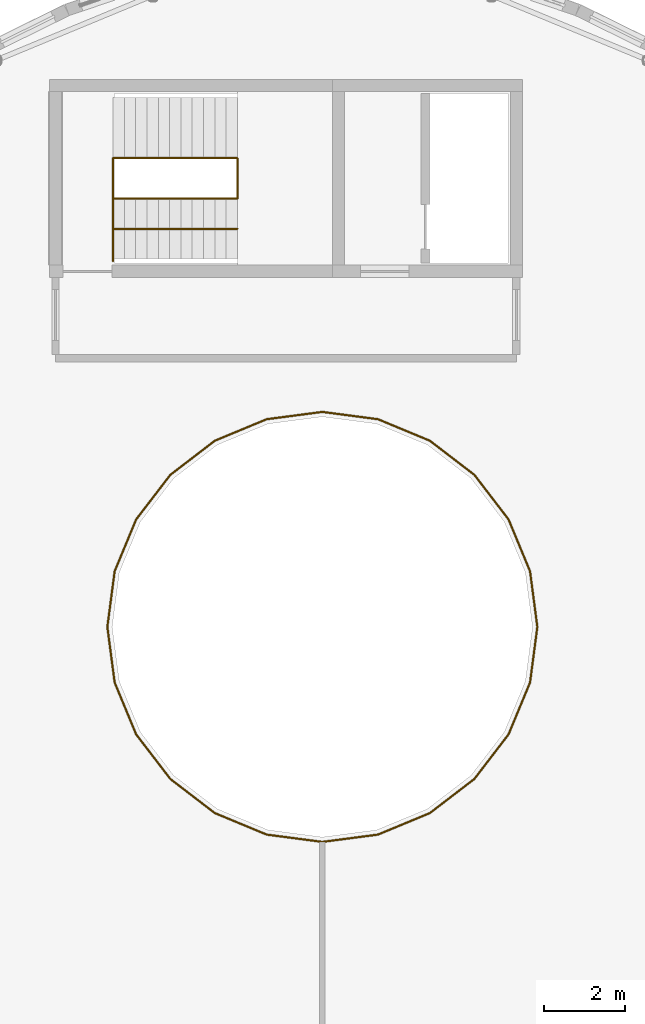
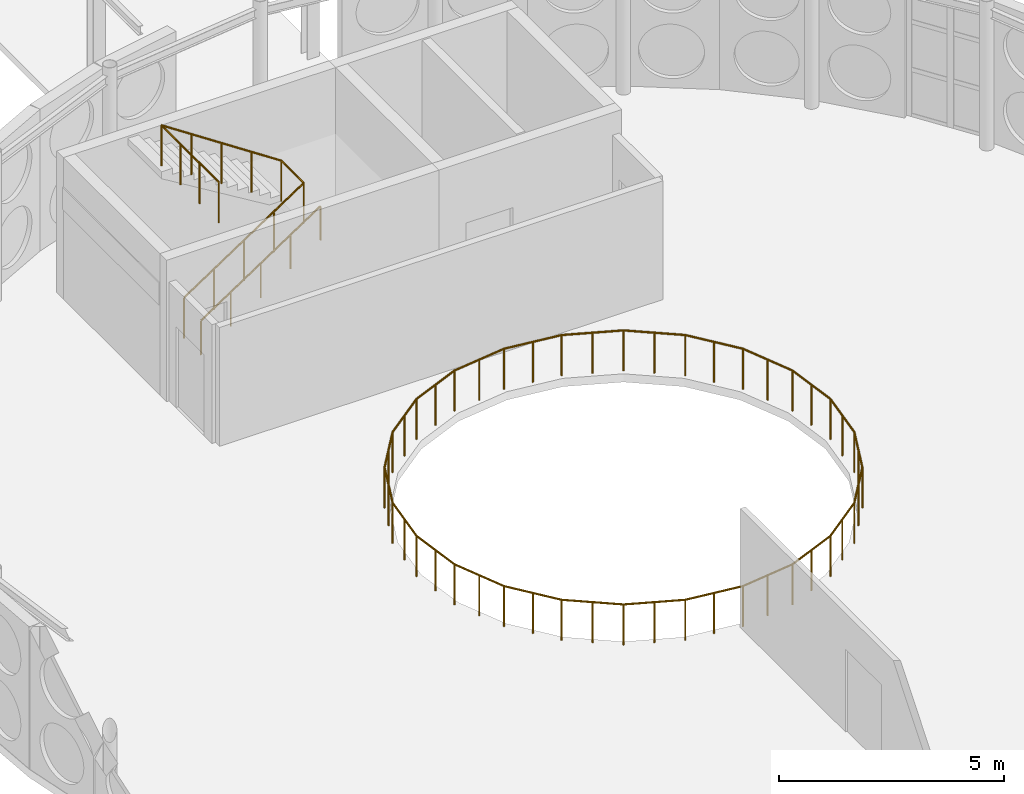
# One storey, part 179 of 189: 3 railings.
"""IFC4 building model written with IfcOpenShell, lengths in metres."""

from ifc_helpers import new_model, si_unit, direction, frame, origin, origin_2d, place, context, subcontext, project, spatial, circle, extrude, material, type_object, element, save


model = new_model("IFC4")

# Units and contexts
model_context = context("Model", 3, precision=1e-05, world=origin(), true_north=direction((0.0, 1.0)))
body_context = subcontext(model_context, "Body", "Model", "MODEL_VIEW")
ifc_project = project(units=[si_unit("LENGTHUNIT", "METRE"), si_unit("AREAUNIT", "SQUARE_METRE"), si_unit("VOLUMEUNIT", "CUBIC_METRE"), si_unit("PLANEANGLEUNIT", "RADIAN"), si_unit("MASSUNIT", "GRAM", prefix="KILO")], contexts=[model_context])

# Site, building, storey
site_placement = place(None, origin())
site = spatial("IfcSite", under=ifc_project, at=site_placement, CompositionType="ELEMENT")
building_placement = place(site_placement, origin())
building = spatial("IfcBuilding", under=site, at=building_placement, Name="Montecoro Central Library", CompositionType="ELEMENT")
storey_placement = place(building_placement, frame((0.0, 0.0, 9.179931640625)))
storey = spatial("IfcBuildingStorey", under=building, at=storey_placement, Name="L02", CompositionType="ELEMENT", Elevation=9.179931640625)

# Railings
ifc_material_1 = material(Name="Brushed stainless steel and bronze balustrade", Category="steel")
railing_type_1 = type_object("IfcRailingType", Name="GRD-INT-110", PredefinedType="GUARDRAIL", material=ifc_material_1)
railing_1_placement = place(storey_placement, frame((86.419921875, 46.0, 0.0)))
element("IfcRailing", 1, at=railing_1_placement, inside=storey, type_object=railing_type_1, Name="C1-L02-STR-GRD", PredefinedType="GUARDRAIL", context=body_context, shape_type="SweptSolid", body=[
    extrude(circle(Radius=0.02392578125, at=origin_2d()), frame((0.0, 0.0, 1.09619140625), z_axis=(0.833713881912, 0.0, 0.552196670677), x_axis=(0.0, 1.0, 0.0)), (0.0, 0.0, 1.0), 3.6943359375),
    extrude(circle(Radius=0.02392578125, at=origin_2d()), frame((3.080078125, 0.0, 3.13623046875), z_axis=(0.0, 1.0, 0.0), x_axis=(-1.0, 0.0, 0.0)), (0.0, 0.0, 1.0), 1.0),
    extrude(circle(Radius=0.02392578125, at=origin_2d()), frame((3.080078125, 1.0, 3.13623046875), z_axis=(-0.833713881912, 0.0, 0.552196670677), x_axis=(0.0, -1.0, 0.0)), (0.0, 0.0, 1.0), 3.6943359375),
    extrude(circle(Radius=0.02392578125, at=origin_2d()), frame((0.0, 1.0, 5.17626953125), z_axis=(0.0, -1.0, 0.0), x_axis=(1.0, 0.0, 0.0)), (0.0, 0.0, 1.0), 2.550048828125),
    extrude(circle(Radius=0.02099609375, at=origin_2d()), origin(), (0.0, 0.0, 1.0), 1.072021484375),
    extrude(circle(Radius=0.02099609375, at=origin_2d()), frame((0.77001953125, 0.0, 0.510009765625)), (0.0, 0.0, 1.0), 1.072021484375),
    extrude(circle(Radius=0.02099609375, at=origin_2d()), frame((1.5400390625, 0.0, 1.02001953125)), (0.0, 0.0, 1.0), 1.072021484375),
    extrude(circle(Radius=0.02099609375, at=origin_2d()), frame((2.31005859375, 0.0, 1.530029296875)), (0.0, 0.0, 1.0), 1.072021484375),
    extrude(circle(Radius=0.02099609375, at=origin_2d()), frame((3.080078125, 0.0, 2.0400390625)), (0.0, 0.0, 1.0), 1.072021484375),
    extrude(circle(Radius=0.02099609375, at=origin_2d()), frame((3.080078125, 1.0, 2.0400390625)), (0.0, 0.0, 1.0), 1.072021484375),
    extrude(circle(Radius=0.02099609375, at=origin_2d()), frame((2.31005859375, 1.0, 2.550048828125)), (0.0, 0.0, 1.0), 1.072021484375),
    extrude(circle(Radius=0.02099609375, at=origin_2d()), frame((1.5400390625, 1.0, 3.06005859375)), (0.0, 0.0, 1.0), 1.072021484375),
    extrude(circle(Radius=0.02099609375, at=origin_2d()), frame((0.77001953125, 1.0, 3.570068359375)), (0.0, 0.0, 1.0), 1.072021484375),
    extrude(circle(Radius=0.02099609375, at=origin_2d()), frame((0.0, 1.0, 4.080078125)), (0.0, 0.0, 1.0), 1.072021484375),
    extrude(circle(Radius=0.02099609375, at=origin_2d()), frame((0.0, 0.14990234375, 4.080078125)), (0.0, 0.0, 1.0), 1.072021484375),
    extrude(circle(Radius=0.02099609375, at=origin_2d()), frame((0.0, -0.699951171875, 4.080078125)), (0.0, 0.0, 1.0), 1.072021484375),
    extrude(circle(Radius=0.02099609375, at=origin_2d()), frame((0.0, -1.550048828125, 4.080078125)), (0.0, 0.0, 1.0), 1.072021484375),
])
railing_2_placement = place(storey_placement, frame((96.919921875, 35.39990234375, 0.0)))
element("IfcRailing", 2, at=railing_2_placement, inside=storey, type_object=railing_type_1, Name="V1-L02-WELL-GRD", PredefinedType="GUARDRAIL", context=body_context, shape_type="SweptSolid", body=[
    extrude(circle(Radius=0.02392578125, at=origin_2d()), frame((0.0, 0.0, 1.09619140625), z_axis=(-0.130240817394, 0.991482389901, 0.0), x_axis=(-0.991482389901, -0.130240817394, 0.0)), (0.0, 0.0, 1.0), 1.388916015625),
    extrude(circle(Radius=0.02392578125, at=origin_2d()), frame((-0.180908203125, 1.377197265625, 1.09619140625), z_axis=(-0.383029656307, 0.923736045843, 0.0), x_axis=(-0.923736045843, -0.383029656307, 0.0)), (0.0, 0.0, 1.0), 1.388916015625),
    extrude(circle(Radius=0.02392578125, at=origin_2d()), frame((-0.712890625, 2.66015625, 1.09619140625), z_axis=(-0.608461069616, 0.793583723851, 0.0), x_axis=(-0.793583723851, -0.608461069616, 0.0)), (0.0, 0.0, 1.0), 1.388671875),
    extrude(circle(Radius=0.02392578125, at=origin_2d()), frame((-1.557861328125, 3.76220703125, 1.09619140625), z_axis=(-0.793583723851, 0.608461069616, 0.0), x_axis=(-0.608461069616, -0.793583723851, 0.0)), (0.0, 0.0, 1.0), 1.388671875),
    extrude(circle(Radius=0.02392578125, at=origin_2d()), frame((-2.659912109375, 4.607177734375, 1.09619140625), z_axis=(-0.923736045843, 0.383029656307, 0.0), x_axis=(-0.383029656307, -0.923736045843, 0.0)), (0.0, 0.0, 1.0), 1.388916015625),
    extrude(circle(Radius=0.02392578125, at=origin_2d()), frame((-3.94287109375, 5.13916015625, 1.09619140625), z_axis=(-0.991479407702, 0.130263517927, 0.0), x_axis=(-0.130263517927, -0.991479407702, 0.0)), (0.0, 0.0, 1.0), 1.388671875),
    extrude(circle(Radius=0.02392578125, at=origin_2d()), frame((-5.31982421875, 5.320068359375, 1.09619140625), z_axis=(-0.991482389901, -0.130240817394, 0.0), x_axis=(0.130240817394, -0.991482389901, 0.0)), (0.0, 0.0, 1.0), 1.388916015625),
    extrude(circle(Radius=0.02392578125, at=origin_2d()), frame((-6.697021484375, 5.13916015625, 1.09619140625), z_axis=(-0.923736045843, -0.383029656307, 0.0), x_axis=(0.383029656307, -0.923736045843, 0.0)), (0.0, 0.0, 1.0), 1.388916015625),
    extrude(circle(Radius=0.02392578125, at=origin_2d()), frame((-7.97998046875, 4.607177734375, 1.09619140625), z_axis=(-0.793583723851, -0.608461069616, 0.0), x_axis=(0.608461069616, -0.793583723851, 0.0)), (0.0, 0.0, 1.0), 1.388671875),
    extrude(circle(Radius=0.02392578125, at=origin_2d()), frame((-9.08203125, 3.76220703125, 1.09619140625), z_axis=(-0.608461069616, -0.793583723851, 0.0), x_axis=(0.793583723851, -0.608461069616, 0.0)), (0.0, 0.0, 1.0), 1.388671875),
    extrude(circle(Radius=0.02392578125, at=origin_2d()), frame((-9.927001953125, 2.66015625, 1.09619140625), z_axis=(-0.383029656307, -0.923736045843, 0.0), x_axis=(0.923736045843, -0.383029656307, 0.0)), (0.0, 0.0, 1.0), 1.388916015625),
    extrude(circle(Radius=0.02392578125, at=origin_2d()), frame((-10.458984375, 1.377197265625, 1.09619140625), z_axis=(-0.130240817394, -0.991482389901, 0.0), x_axis=(0.991482389901, -0.130240817394, 0.0)), (0.0, 0.0, 1.0), 1.388916015625),
    extrude(circle(Radius=0.02392578125, at=origin_2d()), frame((-10.639892578125, 0.0, 1.09619140625), z_axis=(0.130263517927, -0.991479407702, 0.0), x_axis=(0.991479407702, 0.130263517927, 0.0)), (0.0, 0.0, 1.0), 1.388671875),
    extrude(circle(Radius=0.02392578125, at=origin_2d()), frame((-10.458984375, -1.376953125, 1.09619140625), z_axis=(0.383029656307, -0.923736045843, 0.0), x_axis=(0.923736045843, 0.383029656307, 0.0)), (0.0, 0.0, 1.0), 1.388916015625),
    extrude(circle(Radius=0.02392578125, at=origin_2d()), frame((-9.927001953125, -2.659912109375, 1.09619140625), z_axis=(0.608461069616, -0.793583723851, 0.0), x_axis=(0.793583723851, 0.608461069616, 0.0)), (0.0, 0.0, 1.0), 1.388671875),
    extrude(circle(Radius=0.02392578125, at=origin_2d()), frame((-9.08203125, -3.761962890625, 1.09619140625), z_axis=(0.793583723851, -0.608461069616, 0.0), x_axis=(0.608461069616, 0.793583723851, 0.0)), (0.0, 0.0, 1.0), 1.388671875),
    extrude(circle(Radius=0.02392578125, at=origin_2d()), frame((-7.97998046875, -4.60693359375, 1.09619140625), z_axis=(0.923736045843, -0.383029656307, 0.0), x_axis=(0.383029656307, 0.923736045843, 0.0)), (0.0, 0.0, 1.0), 1.388916015625),
    extrude(circle(Radius=0.02392578125, at=origin_2d()), frame((-6.697021484375, -5.138916015625, 1.09619140625), z_axis=(0.991482389901, -0.130240817394, 0.0), x_axis=(0.130240817394, 0.991482389901, 0.0)), (0.0, 0.0, 1.0), 1.388916015625),
    extrude(circle(Radius=0.02392578125, at=origin_2d()), frame((-5.31982421875, -5.31982421875, 1.09619140625), z_axis=(0.991479407702, 0.130263517927, 0.0), x_axis=(-0.130263517927, 0.991479407702, 0.0)), (0.0, 0.0, 1.0), 1.388671875),
    extrude(circle(Radius=0.02392578125, at=origin_2d()), frame((-3.94287109375, -5.138916015625, 1.09619140625), z_axis=(0.923736045843, 0.383029656307, 0.0), x_axis=(-0.383029656307, 0.923736045843, 0.0)), (0.0, 0.0, 1.0), 1.388916015625),
    extrude(circle(Radius=0.02392578125, at=origin_2d()), frame((-2.659912109375, -4.60693359375, 1.09619140625), z_axis=(0.793583723851, 0.608461069616, 0.0), x_axis=(-0.608461069616, 0.793583723851, 0.0)), (0.0, 0.0, 1.0), 1.388671875),
    extrude(circle(Radius=0.02392578125, at=origin_2d()), frame((-1.557861328125, -3.761962890625, 1.09619140625), z_axis=(0.608461069616, 0.793583723851, 0.0), x_axis=(-0.793583723851, 0.608461069616, 0.0)), (0.0, 0.0, 1.0), 1.388671875),
    extrude(circle(Radius=0.02392578125, at=origin_2d()), frame((-0.712890625, -2.659912109375, 1.09619140625), z_axis=(0.383029656307, 0.923736045843, 0.0), x_axis=(-0.923736045843, 0.383029656307, 0.0)), (0.0, 0.0, 1.0), 1.388916015625),
    extrude(circle(Radius=0.02392578125, at=origin_2d()), frame((-0.180908203125, -1.376953125, 1.09619140625), z_axis=(0.130263517927, 0.991479407702, 0.0), x_axis=(-0.991479407702, 0.130263517927, 0.0)), (0.0, 0.0, 1.0), 1.388671875),
    extrude(circle(Radius=0.02099609375, at=origin_2d()), origin(), (0.0, 0.0, 1.0), 1.072021484375),
    extrude(circle(Radius=0.02099609375, at=origin_2d()), frame((-0.09033203125, 0.6884765625, 0.0)), (0.0, 0.0, 1.0), 1.072021484375),
    extrude(circle(Radius=0.02099609375, at=origin_2d()), frame((-0.180908203125, 1.377197265625, 0.0)), (0.0, 0.0, 1.0), 1.072021484375),
    extrude(circle(Radius=0.02099609375, at=origin_2d()), frame((-0.44677734375, 2.0185546875, 0.0)), (0.0, 0.0, 1.0), 1.072021484375),
    extrude(circle(Radius=0.02099609375, at=origin_2d()), frame((-0.712890625, 2.66015625, 0.0)), (0.0, 0.0, 1.0), 1.072021484375),
    extrude(circle(Radius=0.02099609375, at=origin_2d()), frame((-1.13525390625, 3.211181640625, 0.0)), (0.0, 0.0, 1.0), 1.072021484375),
    extrude(circle(Radius=0.02099609375, at=origin_2d()), frame((-1.557861328125, 3.76220703125, 0.0)), (0.0, 0.0, 1.0), 1.072021484375),
    extrude(circle(Radius=0.02099609375, at=origin_2d()), frame((-2.10888671875, 4.1845703125, 0.0)), (0.0, 0.0, 1.0), 1.072021484375),
    extrude(circle(Radius=0.02099609375, at=origin_2d()), frame((-2.659912109375, 4.607177734375, 0.0)), (0.0, 0.0, 1.0), 1.072021484375),
    extrude(circle(Radius=0.02099609375, at=origin_2d()), frame((-3.30126953125, 4.873046875, 0.0)), (0.0, 0.0, 1.0), 1.072021484375),
    extrude(circle(Radius=0.02099609375, at=origin_2d()), frame((-3.94287109375, 5.13916015625, 0.0)), (0.0, 0.0, 1.0), 1.072021484375),
    extrude(circle(Radius=0.02099609375, at=origin_2d()), frame((-4.63134765625, 5.2294921875, 0.0)), (0.0, 0.0, 1.0), 1.072021484375),
    extrude(circle(Radius=0.02099609375, at=origin_2d()), frame((-5.31982421875, 5.320068359375, 0.0)), (0.0, 0.0, 1.0), 1.072021484375),
    extrude(circle(Radius=0.02099609375, at=origin_2d()), frame((-6.00830078125, 5.2294921875, 0.0)), (0.0, 0.0, 1.0), 1.072021484375),
    extrude(circle(Radius=0.02099609375, at=origin_2d()), frame((-6.697021484375, 5.13916015625, 0.0)), (0.0, 0.0, 1.0), 1.072021484375),
    extrude(circle(Radius=0.02099609375, at=origin_2d()), frame((-7.33837890625, 4.873046875, 0.0)), (0.0, 0.0, 1.0), 1.072021484375),
    extrude(circle(Radius=0.02099609375, at=origin_2d()), frame((-7.97998046875, 4.607177734375, 0.0)), (0.0, 0.0, 1.0), 1.072021484375),
    extrude(circle(Radius=0.02099609375, at=origin_2d()), frame((-8.531005859375, 4.1845703125, 0.0)), (0.0, 0.0, 1.0), 1.072021484375),
    extrude(circle(Radius=0.02099609375, at=origin_2d()), frame((-9.08203125, 3.76220703125, 0.0)), (0.0, 0.0, 1.0), 1.072021484375),
    extrude(circle(Radius=0.02099609375, at=origin_2d()), frame((-9.50439453125, 3.211181640625, 0.0)), (0.0, 0.0, 1.0), 1.072021484375),
    extrude(circle(Radius=0.02099609375, at=origin_2d()), frame((-9.927001953125, 2.66015625, 0.0)), (0.0, 0.0, 1.0), 1.072021484375),
    extrude(circle(Radius=0.02099609375, at=origin_2d()), frame((-10.19287109375, 2.0185546875, 0.0)), (0.0, 0.0, 1.0), 1.072021484375),
    extrude(circle(Radius=0.02099609375, at=origin_2d()), frame((-10.458984375, 1.377197265625, 0.0)), (0.0, 0.0, 1.0), 1.072021484375),
    extrude(circle(Radius=0.02099609375, at=origin_2d()), frame((-10.54931640625, 0.6884765625, 0.0)), (0.0, 0.0, 1.0), 1.072021484375),
    extrude(circle(Radius=0.02099609375, at=origin_2d()), frame((-10.639892578125, 0.0, 0.0)), (0.0, 0.0, 1.0), 1.072021484375),
    extrude(circle(Radius=0.02099609375, at=origin_2d()), frame((-10.54931640625, -0.6884765625, 0.0)), (0.0, 0.0, 1.0), 1.072021484375),
    extrude(circle(Radius=0.02099609375, at=origin_2d()), frame((-10.458984375, -1.376953125, 0.0)), (0.0, 0.0, 1.0), 1.072021484375),
    extrude(circle(Radius=0.02099609375, at=origin_2d()), frame((-10.19287109375, -2.0185546875, 0.0)), (0.0, 0.0, 1.0), 1.072021484375),
    extrude(circle(Radius=0.02099609375, at=origin_2d()), frame((-9.927001953125, -2.659912109375, 0.0)), (0.0, 0.0, 1.0), 1.072021484375),
    extrude(circle(Radius=0.02099609375, at=origin_2d()), frame((-9.50439453125, -3.2109375, 0.0)), (0.0, 0.0, 1.0), 1.072021484375),
    extrude(circle(Radius=0.02099609375, at=origin_2d()), frame((-9.08203125, -3.761962890625, 0.0)), (0.0, 0.0, 1.0), 1.072021484375),
    extrude(circle(Radius=0.02099609375, at=origin_2d()), frame((-8.531005859375, -4.1845703125, 0.0)), (0.0, 0.0, 1.0), 1.072021484375),
    extrude(circle(Radius=0.02099609375, at=origin_2d()), frame((-7.97998046875, -4.60693359375, 0.0)), (0.0, 0.0, 1.0), 1.072021484375),
    extrude(circle(Radius=0.02099609375, at=origin_2d()), frame((-7.33837890625, -4.873046875, 0.0)), (0.0, 0.0, 1.0), 1.072021484375),
    extrude(circle(Radius=0.02099609375, at=origin_2d()), frame((-6.697021484375, -5.138916015625, 0.0)), (0.0, 0.0, 1.0), 1.072021484375),
    extrude(circle(Radius=0.02099609375, at=origin_2d()), frame((-6.00830078125, -5.2294921875, 0.0)), (0.0, 0.0, 1.0), 1.072021484375),
    extrude(circle(Radius=0.02099609375, at=origin_2d()), frame((-5.31982421875, -5.31982421875, 0.0)), (0.0, 0.0, 1.0), 1.072021484375),
    extrude(circle(Radius=0.02099609375, at=origin_2d()), frame((-4.63134765625, -5.2294921875, 0.0)), (0.0, 0.0, 1.0), 1.072021484375),
    extrude(circle(Radius=0.02099609375, at=origin_2d()), frame((-3.94287109375, -5.138916015625, 0.0)), (0.0, 0.0, 1.0), 1.072021484375),
    extrude(circle(Radius=0.02099609375, at=origin_2d()), frame((-3.30126953125, -4.873046875, 0.0)), (0.0, 0.0, 1.0), 1.072021484375),
    extrude(circle(Radius=0.02099609375, at=origin_2d()), frame((-2.659912109375, -4.60693359375, 0.0)), (0.0, 0.0, 1.0), 1.072021484375),
    extrude(circle(Radius=0.02099609375, at=origin_2d()), frame((-2.10888671875, -4.1845703125, 0.0)), (0.0, 0.0, 1.0), 1.072021484375),
    extrude(circle(Radius=0.02099609375, at=origin_2d()), frame((-1.557861328125, -3.761962890625, 0.0)), (0.0, 0.0, 1.0), 1.072021484375),
    extrude(circle(Radius=0.02099609375, at=origin_2d()), frame((-1.13525390625, -3.2109375, 0.0)), (0.0, 0.0, 1.0), 1.072021484375),
    extrude(circle(Radius=0.02099609375, at=origin_2d()), frame((-0.712890625, -2.659912109375, 0.0)), (0.0, 0.0, 1.0), 1.072021484375),
    extrude(circle(Radius=0.02099609375, at=origin_2d()), frame((-0.44677734375, -2.0185546875, 0.0)), (0.0, 0.0, 1.0), 1.072021484375),
    extrude(circle(Radius=0.02099609375, at=origin_2d()), frame((-0.180908203125, -1.376953125, 0.0)), (0.0, 0.0, 1.0), 1.072021484375),
    extrude(circle(Radius=0.02099609375, at=origin_2d()), frame((-0.09033203125, -0.6884765625, 0.0)), (0.0, 0.0, 1.0), 1.072021484375),
])
ifc_material_2 = material(Name="Brushed architectural bronze handrail")
railing_type_2 = type_object("IfcRailingType", Name="HRL-STR-095", PredefinedType="HANDRAIL", material=ifc_material_2)
railing_3_placement = place(storey_placement, frame((86.419921875, 45.25, 0.0)))
element("IfcRailing", 3, at=railing_3_placement, inside=storey, type_object=railing_type_2, Name="C1-L02-STR-HR1", PredefinedType="HANDRAIL", context=body_context, shape_type="SweptSolid", body=[
    extrude(circle(Radius=0.02392578125, at=origin_2d()), frame((0.0, 0.0, 0.92578125), z_axis=(0.833713881912, 0.0, 0.552196670677), x_axis=(0.0, 1.0, 0.0)), (0.0, 0.0, 1.0), 3.6943359375),
    extrude(circle(Radius=0.02099609375, at=origin_2d()), origin(), (0.0, 0.0, 1.0), 0.90185546875),
    extrude(circle(Radius=0.02099609375, at=origin_2d()), frame((0.77001953125, 0.0, 0.510009765625)), (0.0, 0.0, 1.0), 0.90185546875),
    extrude(circle(Radius=0.02099609375, at=origin_2d()), frame((1.5400390625, 0.0, 1.02001953125)), (0.0, 0.0, 1.0), 0.90185546875),
    extrude(circle(Radius=0.02099609375, at=origin_2d()), frame((2.31005859375, 0.0, 1.530029296875)), (0.0, 0.0, 1.0), 0.90185546875),
    extrude(circle(Radius=0.02099609375, at=origin_2d()), frame((3.080078125, 0.0, 2.0400390625)), (0.0, 0.0, 1.0), 0.90185546875),
])

save(model, "model.ifc")
